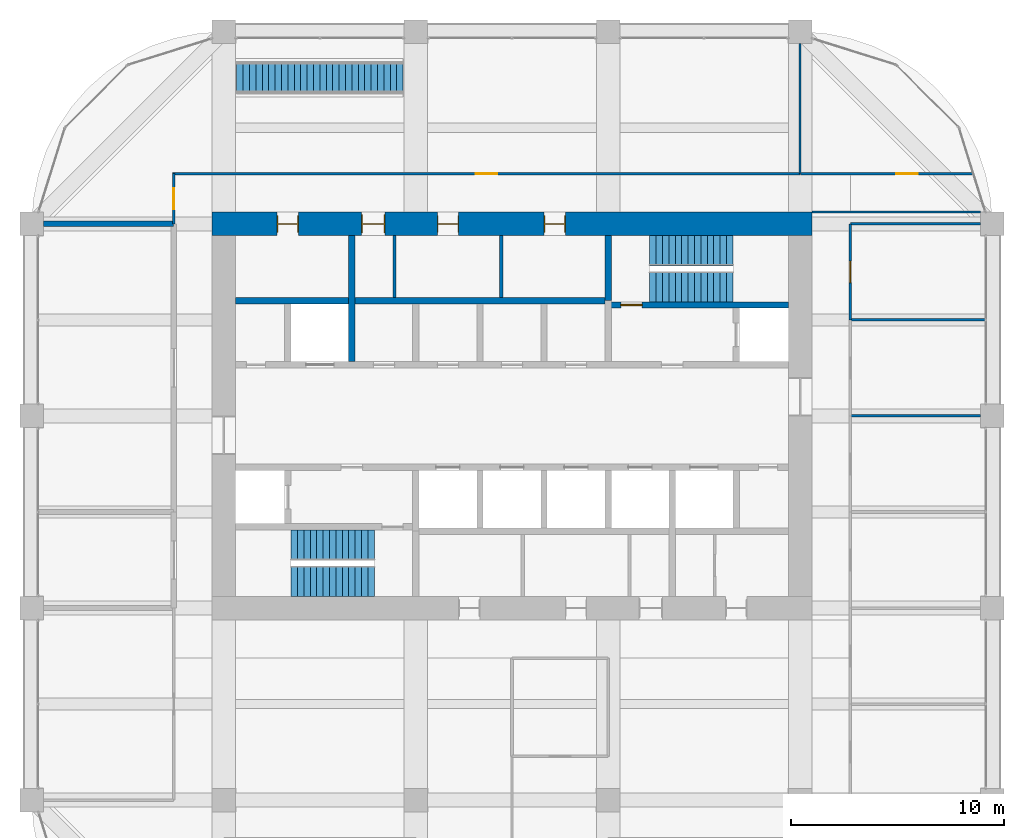
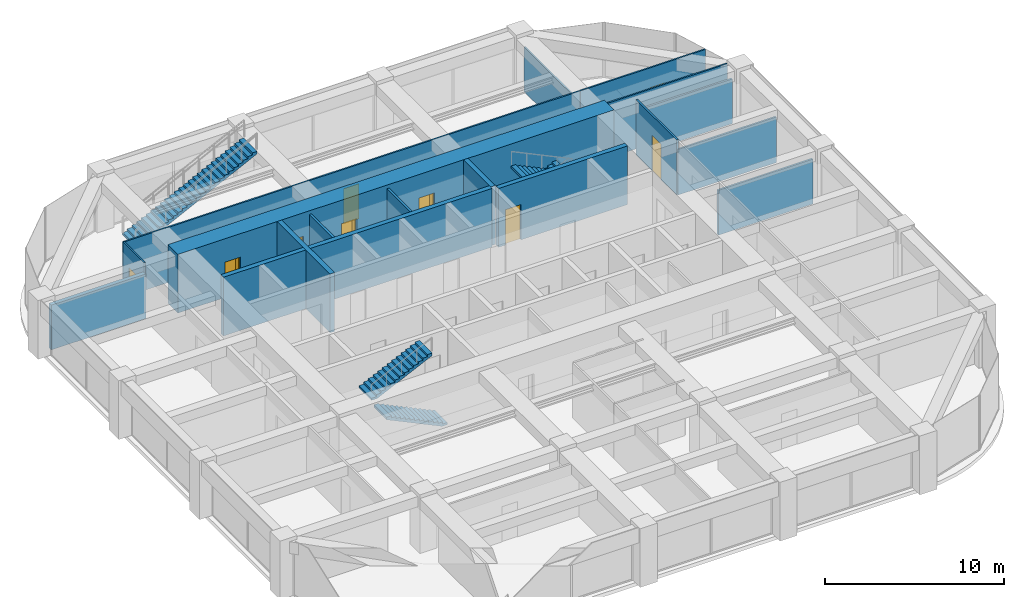
# One storey, part 43 of 44: 17 walls, 9 doors, 5 stair flights, 9 openings, 3 elements without a shape of their own.
"""IFC4 building model written with IfcOpenShell, lengths in metres."""

import ifcopenshell
import ifcopenshell.guid

model = None  # the IFC model being written
_history = None  # IfcOwnerHistory: only IFC2X3 demands one
_inside = {}  # id of a spatial element -> (the spatial element, [elements in it])
_under = {}  # id of a project, library or spatial element -> (it, [spatial elements below it])
_declared = {}  # id of a project -> (the project, [libraries it declares])
_typed = {}  # id of a type object -> (the type object, [elements of that type])
_made_of = {}  # id of a material, layer set ... -> (it, [elements and type objects made of it])


def new_model(schema):
    """Start an empty IFC model of exactly this schema.

    Asked for "IFC4X3", IfcOpenShell would pick the latest addendum, in which some entities
    have other attributes; the version numbers below select the first issue.
    IFC2X3 requires an IfcOwnerHistory on every rooted entity: one is made here for all.
    """
    global model, _history
    if schema == "IFC4X3":
        model = ifcopenshell.file(schema_version=(4, 3, 0, 0))
    else:
        model = ifcopenshell.file(schema=schema)
    _inside.clear()
    _under.clear()
    _declared.clear()
    _typed.clear()
    _made_of.clear()
    _history = None
    if model.schema == "IFC2X3":
        org = make("IfcOrganization", Name="unknown")
        user = make(
            "IfcPersonAndOrganization",
            ThePerson=make("IfcPerson", FamilyName="unknown"),
            TheOrganization=org,
        )
        app = make(
            "IfcApplication",
            ApplicationDeveloper=org,
            Version="unknown",
            ApplicationFullName="unknown",
            ApplicationIdentifier="unknown",
        )
        _history = make(
            "IfcOwnerHistory",
            OwningUser=user,
            OwningApplication=app,
            ChangeAction="ADDED",
            CreationDate=0,
        )
    return model


def make(cls, **values):
    """One entity of the class cls with the attributes given. An attribute that is None is left unset."""
    return model.create_entity(
        cls, **{name: value for name, value in values.items() if value is not None}
    )


def rooted(cls, **values):
    """An entity with a GlobalId (a new one), such as an element, a storey or a relation."""
    return make(cls, GlobalId=ifcopenshell.guid.new(), OwnerHistory=_history, **values)


def si_unit(unit_type, name, prefix=None):
    """IfcSIUnit, for example si_unit("LENGTHUNIT", "METRE", prefix="MILLI")."""
    return make("IfcSIUnit", UnitType=unit_type, Prefix=prefix, Name=name)


def assignment(units):
    """IfcUnitAssignment: the units of a project."""
    return None if units is None else make("IfcUnitAssignment", Units=units)


def point(xyz):
    """IfcCartesianPoint."""
    return None if xyz is None else make("IfcCartesianPoint", Coordinates=xyz)


def direction(xyz):
    """IfcDirection."""
    return None if xyz is None else make("IfcDirection", DirectionRatios=xyz)


def frame(location, z_axis=None, x_axis=None):
    """IfcAxis2Placement3D, a coordinate frame: its origin and axes. An axis left out is left unset."""
    return make(
        "IfcAxis2Placement3D",
        Location=point(location),
        Axis=direction(z_axis),
        RefDirection=direction(x_axis),
    )


def frame_2d(location, x_axis=None):
    """IfcAxis2Placement2D, a coordinate frame in the plane: its origin and x axis."""
    return make(
        "IfcAxis2Placement2D", Location=point(location), RefDirection=direction(x_axis)
    )


def origin():
    """The frame at (0, 0, 0) with its axes left unset."""
    return frame((0.0, 0.0, 0.0))


def place(relative_to, where):
    """IfcLocalPlacement: puts the frame where relative to a parent placement (None: the world)."""
    return make(
        "IfcLocalPlacement", PlacementRelTo=relative_to, RelativePlacement=where
    )


def context(
    kind, dimensions, precision=None, world=None, true_north=None, identifier=None
):
    """IfcGeometricRepresentationContext, for example the 3D "Model" context."""
    return make(
        "IfcGeometricRepresentationContext",
        ContextIdentifier=identifier,
        ContextType=kind,
        CoordinateSpaceDimension=dimensions,
        Precision=precision,
        WorldCoordinateSystem=world,
        TrueNorth=true_north,
    )


def subcontext(parent, identifier, kind, view, scale=None):
    """IfcGeometricRepresentationSubContext, for example "Body" below "Model"."""
    return make(
        "IfcGeometricRepresentationSubContext",
        ContextIdentifier=identifier,
        ContextType=kind,
        ParentContext=parent,
        TargetScale=scale,
        TargetView=view,
    )


def project(units=None, contexts=None):
    """IfcProject with its units and contexts."""
    return rooted(
        "IfcProject",
        Name="project",
        RepresentationContexts=contexts,
        UnitsInContext=assignment(units),
    )


def spatial(cls, under=None, at=None, **own):
    """A site, building, storey or space (cls), placed at a placement, below another one or the project."""
    s = rooted(cls, ObjectPlacement=at, **own)
    if under is not None:
        _under.setdefault(under.id(), (under, []))[1].append(s)
    return s


def polyline(points):
    """IfcPolyline through the points."""
    return make("IfcPolyline", Points=[point(p) for p in points])


def profile(cls, at=None, kind="AREA", **sizes):
    """A parametric profile (cls). Its sizes go by their IFC names, for example OverallWidth=200.0."""
    return make(cls, ProfileType=kind, Position=at, **sizes)


def rectangle(**sizes):
    """IfcRectangleProfileDef."""
    return profile("IfcRectangleProfileDef", **sizes)


def outline(outer, holes=None, kind="AREA"):
    """IfcArbitraryClosedProfileDef: a profile drawn as a closed curve; with holes, ...WithVoids."""
    if holes is None:
        return make("IfcArbitraryClosedProfileDef", ProfileType=kind, OuterCurve=outer)
    return make(
        "IfcArbitraryProfileDefWithVoids",
        ProfileType=kind,
        OuterCurve=outer,
        InnerCurves=holes,
    )


def extrude(swept, where, along, depth):
    """IfcExtrudedAreaSolid: the profile swept, set in the frame where, extruded along a direction by depth."""
    return make(
        "IfcExtrudedAreaSolid",
        SweptArea=swept,
        Position=where,
        ExtrudedDirection=direction(along),
        Depth=depth,
    )


def shape(context_of_items, identifier, shape_type, items):
    """IfcShapeRepresentation: the items that make up one representation, for example the "Body"."""
    return make(
        "IfcShapeRepresentation",
        ContextOfItems=context_of_items,
        RepresentationIdentifier=identifier,
        RepresentationType=shape_type,
        Items=items,
    )


def material(Name=None, Category=None):
    """IfcMaterial."""
    return make("IfcMaterial", Name=Name, Category=Category)


def layer(
    of_material, thickness, ventilated=None, Name=None, Category=None, Priority=None
):
    """IfcMaterialLayer: one layer of a wall or slab, of a material (None: an air gap)."""
    return make(
        "IfcMaterialLayer",
        Material=of_material,
        LayerThickness=thickness,
        IsVentilated=ventilated,
        Name=Name,
        Category=Category,
        Priority=Priority,
    )


def layer_set(layers, Name=None):
    """IfcMaterialLayerSet."""
    return make("IfcMaterialLayerSet", MaterialLayers=layers, LayerSetName=Name)


def constituent(of_material, Name=None, Category=None, fraction=None):
    """IfcMaterialConstituent: one of the materials an element consists of."""
    return make(
        "IfcMaterialConstituent",
        Name=Name,
        Material=of_material,
        Fraction=fraction,
        Category=Category,
    )


def constituent_set(constituents=None, Name=None):
    """IfcMaterialConstituentSet."""
    return make(
        "IfcMaterialConstituentSet", Name=Name, MaterialConstituents=constituents
    )


def made_of(thing, what):
    """Note that an element or type object is made of a material, layer set ...; save() writes the relation."""
    if what is not None:
        _made_of.setdefault(what.id(), (what, []))[1].append(thing)
    return thing


def type_object(cls, material=None, **own):
    """A type object (cls), such as IfcWallType, which elements share."""
    return made_of(rooted(cls, **own), material)


def element(
    cls,
    number,
    at=None,
    inside=None,
    cuts=None,
    type_object=None,
    material=None,
    context=None,
    identifier="Body",
    shape_type=None,
    held_by="IfcProductDefinitionShape",
    body=None,
    shapes=None,
    **own,
):
    """One element of the class cls, such as IfcWall. Its Tag is "e" and its number.

    at: its placement. inside: the storey or other place that contains it. cuts: it is an
    opening in that element (IfcRelVoidsElement). A single representation is given by context,
    identifier, shape_type and body (its items); several are given by shapes. held_by: the class
    of the entity that holds the representations. save() writes the other relations.
    """
    e = rooted(cls, Tag="e%d" % number, ObjectPlacement=at, **own)
    if body is not None:
        shapes = [shape(context, identifier, shape_type, body)]
    if shapes is not None:
        e.Representation = make(held_by, Representations=shapes)
    if inside is not None:
        _inside.setdefault(inside.id(), (inside, []))[1].append(e)
    if cuts is not None:
        rooted(
            "IfcRelVoidsElement", RelatingBuildingElement=cuts, RelatedOpeningElement=e
        )
    if type_object is not None:
        _typed.setdefault(type_object.id(), (type_object, []))[1].append(e)
    return made_of(e, material)


def fill(opening, filler):
    """IfcRelFillsElement: the door or window that sits in an opening."""
    return rooted(
        "IfcRelFillsElement",
        RelatingOpeningElement=opening,
        RelatedBuildingElement=filler,
    )


def aggregate(whole, parts):
    """IfcRelAggregates: a whole, such as a stair, and the parts it consists of."""
    return rooted("IfcRelAggregates", RelatingObject=whole, RelatedObjects=parts)


def save(model, path):
    """Write the relations noted so far, then the file.

    IfcRelAggregates (storeys below a building ...), IfcRelContainedInSpatialStructure (elements
    in a storey), IfcRelDefinesByType, IfcRelAssociatesMaterial and IfcRelDeclares: one each for
    every whole, place, type object, material and project.
    """
    for whole, parts in _under.values():
        aggregate(whole, parts)
    for where, things in _inside.values():
        rooted(
            "IfcRelContainedInSpatialStructure",
            RelatedElements=things,
            RelatingStructure=where,
        )
    for kind, things in _typed.values():
        rooted("IfcRelDefinesByType", RelatedObjects=things, RelatingType=kind)
    for what, things in _made_of.values():
        rooted("IfcRelAssociatesMaterial", RelatedObjects=things, RelatingMaterial=what)
    for by, libraries in _declared.values():
        rooted("IfcRelDeclares", RelatingContext=by, RelatedDefinitions=libraries)
    model.write(path)


model = new_model("IFC4")

# Units and contexts
model_context = context("Model", 3, precision=1e-05, world=origin(), true_north=direction((0.0, 1.0)))
body_context = subcontext(model_context, "Body", "Model", "MODEL_VIEW")
ifc_project = project(units=[si_unit("LENGTHUNIT", "METRE"), si_unit("AREAUNIT", "SQUARE_METRE"), si_unit("VOLUMEUNIT", "CUBIC_METRE"), si_unit("PLANEANGLEUNIT", "RADIAN"), si_unit("MASSUNIT", "GRAM", prefix="KILO")], contexts=[model_context])

# Site, building, storey
site_placement = place(None, origin())
site = spatial("IfcSite", under=ifc_project, at=site_placement, CompositionType="ELEMENT")
building_placement = place(site_placement, origin())
building = spatial("IfcBuilding", under=site, at=building_placement, Name="Zorevar Civic Tower", CompositionType="ELEMENT")
storey_placement = place(building_placement, frame((0.0, 0.0, 271.39990234375)))
storey = spatial("IfcBuildingStorey", under=building, at=storey_placement, Name="L66", CompositionType="ELEMENT", Elevation=271.39990234375)

# Wall
ifc_material_1 = material(Name="Twin-stud acoustic wall, gypsum board")
ifc_layer_1 = layer(ifc_material_1, 0.25)
ifc_layer_set_1 = layer_set([ifc_layer_1], Name="Acoustic wall 250")
wall_type_1 = type_object("IfcWallType", Name="Acoustic wall 250", PredefinedType="PARTITIONING", material=ifc_layer_set_1)
wall_1_placement = place(storey_placement, frame((9.550048828125, 36.0, 0.0), z_axis=(0.0, 0.0, 1.0), x_axis=(1.0, 0.0, 0.0)))
element("IfcWall", 1, at=wall_1_placement, inside=storey, type_object=wall_type_1, Name="Acoustic wall 250 L66", PredefinedType="PARTITIONING", context=body_context, shape_type="SweptSolid", body=[
    extrude(rectangle(XDim=6.099853515625, YDim=0.25, at=frame_2d((3.0498046875, 0.0))), origin(), (0.0, 0.0, 1.0), 3.050048828125),
])

# Wall, openings, doors
ifc_material_2 = material(Name="Concrete C50/60", Category="concrete")
ifc_layer_2 = layer(ifc_material_2, 1.10009765625)
ifc_layer_set_2 = layer_set([ifc_layer_2], Name="Core wall 1100")
wall_type_2 = type_object("IfcWallType", Name="Core wall 1100", PredefinedType="SHEAR", material=ifc_layer_set_2)
wall_2_placement = place(storey_placement, frame((45.550048828125, 36.0, 0.0), z_axis=(0.0, 0.0, 1.0), x_axis=(-1.0, 0.0, 0.0)))
wall_2 = element("IfcWall", 2, at=wall_2_placement, inside=storey, type_object=wall_type_2, Name="Core wall N L66", PredefinedType="SHEAR", context=body_context, shape_type="SweptSolid", body=[
    extrude(rectangle(XDim=28.10009765625, YDim=1.10009765625, at=frame_2d((14.050048828125, 0.0))), origin(), (0.0, 0.0, 1.0), 4.0),
])
opening_1_placement = place(wall_2_placement, frame((11.550048828125, 0.0, 0.0)))
opening_1 = element("IfcOpeningElement", 3, at=opening_1_placement, cuts=wall_2, Name="Opening L66.07", PredefinedType="OPENING", context=body_context, shape_type="SweptSolid", body=[
    extrude(rectangle(XDim=1.0, YDim=2.39990234375, at=frame_2d((0.5, 1.199951171875))), frame((0.0, 0.56005859375, 0.0), z_axis=(0.0, -1.0, 0.0), x_axis=(1.0, 0.0, 0.0)), (0.0, 0.0, 1.0), 1.1201171875),
])
opening_2_placement = place(wall_2_placement, frame((16.550048828125, 0.0, 0.0)))
opening_2 = element("IfcOpeningElement", 4, at=opening_2_placement, cuts=wall_2, Name="Opening L66.08", PredefinedType="OPENING", context=body_context, shape_type="SweptSolid", body=[
    extrude(rectangle(XDim=1.0, YDim=2.39990234375, at=frame_2d((0.5, 1.199951171875))), frame((0.0, 0.56005859375, 0.0), z_axis=(0.0, -1.0, 0.0), x_axis=(1.0, 0.0, 0.0)), (0.0, 0.0, 1.0), 1.1201171875),
])
opening_3_placement = place(wall_2_placement, frame((20.0, 0.0, 0.0)))
opening_3 = element("IfcOpeningElement", 5, at=opening_3_placement, cuts=wall_2, Name="Opening L66.09", PredefinedType="OPENING", context=body_context, shape_type="SweptSolid", body=[
    extrude(rectangle(XDim=1.10009765625, YDim=2.39990234375, at=frame_2d((0.550048828125, 1.199951171875))), frame((0.0, 0.56005859375, 0.0), z_axis=(0.0, -1.0, 0.0), x_axis=(1.0, 0.0, 0.0)), (0.0, 0.0, 1.0), 1.1201171875),
])
opening_4_placement = place(wall_2_placement, frame((24.050048828125, 0.0, 0.0)))
opening_4 = element("IfcOpeningElement", 6, at=opening_4_placement, cuts=wall_2, Name="Opening L66.10", PredefinedType="OPENING", context=body_context, shape_type="SweptSolid", body=[
    extrude(rectangle(XDim=1.0, YDim=2.39990234375, at=frame_2d((0.5, 1.199951171875))), frame((0.0, 0.56005859375, 0.0), z_axis=(0.0, -1.0, 0.0), x_axis=(1.0, 0.0, 0.0)), (0.0, 0.0, 1.0), 1.1201171875),
])
ifc_material_3 = material(Name="Timber door set", Category="wood")
door_type_1 = type_object("IfcDoorType", Name="Door D1 1000x2400", OperationType="SINGLE_SWING_LEFT", PredefinedType="DOOR", material=ifc_material_3)
door_1_placement = place(opening_1_placement, origin())
door_1 = element("IfcDoor", 7, at=door_1_placement, inside=storey, type_object=door_type_1, Name="Door L66 06", OperationType="SINGLE_SWING_LEFT", OverallHeight=2.39990234375, OverallWidth=1.0, PredefinedType="DOOR", context=body_context, shape_type="SweptSolid", body=[
    extrude(rectangle(XDim=1.0, YDim=2.39990234375, at=frame_2d((0.5, 1.199951171875))), frame((0.0, 0.02490234375, 0.0), z_axis=(0.0, -1.0, 0.0), x_axis=(1.0, 0.0, 0.0)), (0.0, 0.0, 1.0), 0.050048828125),
    extrude(rectangle(XDim=0.04, YDim=2.39990234375, at=frame_2d((0.02001953125, 1.199951171875))), frame((0.0, 0.39990234375, 0.0), z_axis=(0.0, -1.0, 0.0), x_axis=(1.0, 0.0, 0.0)), (0.0, 0.0, 1.0), 0.800048828125),
    extrude(rectangle(XDim=0.04, YDim=2.39990234375, at=frame_2d((0.97998046875, 1.199951171875))), frame((0.0, 0.39990234375, 0.0), z_axis=(0.0, -1.0, 0.0), x_axis=(1.0, 0.0, 0.0)), (0.0, 0.0, 1.0), 0.800048828125),
    extrude(rectangle(XDim=1.0, YDim=0.04, at=frame_2d((0.5, 2.3798828125))), frame((0.0, 0.39990234375, 0.0), z_axis=(0.0, -1.0, 0.0), x_axis=(1.0, 0.0, 0.0)), (0.0, 0.0, 1.0), 0.800048828125),
])
fill(opening_1, door_1)
door_2_placement = place(opening_2_placement, origin())
door_2 = element("IfcDoor", 8, at=door_2_placement, inside=storey, type_object=door_type_1, Name="Door L66 07", OperationType="SINGLE_SWING_RIGHT", OverallHeight=2.39990234375, OverallWidth=1.0, PredefinedType="DOOR", context=body_context, shape_type="SweptSolid", body=[
    extrude(rectangle(XDim=1.0, YDim=2.39990234375, at=frame_2d((0.5, 1.199951171875))), frame((0.0, 0.02490234375, 0.0), z_axis=(0.0, -1.0, 0.0), x_axis=(1.0, 0.0, 0.0)), (0.0, 0.0, 1.0), 0.050048828125),
    extrude(rectangle(XDim=0.04, YDim=2.39990234375, at=frame_2d((0.02001953125, 1.199951171875))), frame((0.0, 0.39990234375, 0.0), z_axis=(0.0, -1.0, 0.0), x_axis=(1.0, 0.0, 0.0)), (0.0, 0.0, 1.0), 0.800048828125),
    extrude(rectangle(XDim=0.04, YDim=2.39990234375, at=frame_2d((0.97998046875, 1.199951171875))), frame((0.0, 0.39990234375, 0.0), z_axis=(0.0, -1.0, 0.0), x_axis=(1.0, 0.0, 0.0)), (0.0, 0.0, 1.0), 0.800048828125),
    extrude(rectangle(XDim=1.0, YDim=0.04, at=frame_2d((0.5, 2.3798828125))), frame((0.0, 0.39990234375, 0.0), z_axis=(0.0, -1.0, 0.0), x_axis=(1.0, 0.0, 0.0)), (0.0, 0.0, 1.0), 0.800048828125),
])
fill(opening_2, door_2)
door_3_placement = place(opening_4_placement, origin())
door_3 = element("IfcDoor", 9, at=door_3_placement, inside=storey, type_object=door_type_1, Name="Door L66 09", OperationType="SINGLE_SWING_RIGHT", OverallHeight=2.39990234375, OverallWidth=1.0, PredefinedType="DOOR", context=body_context, shape_type="SweptSolid", body=[
    extrude(rectangle(XDim=1.0, YDim=2.39990234375, at=frame_2d((0.5, 1.199951171875))), frame((0.0, 0.02490234375, 0.0), z_axis=(0.0, -1.0, 0.0), x_axis=(1.0, 0.0, 0.0)), (0.0, 0.0, 1.0), 0.050048828125),
    extrude(rectangle(XDim=0.04, YDim=2.39990234375, at=frame_2d((0.02001953125, 1.199951171875))), frame((0.0, 0.39990234375, 0.0), z_axis=(0.0, -1.0, 0.0), x_axis=(1.0, 0.0, 0.0)), (0.0, 0.0, 1.0), 0.800048828125),
    extrude(rectangle(XDim=0.04, YDim=2.39990234375, at=frame_2d((0.97998046875, 1.199951171875))), frame((0.0, 0.39990234375, 0.0), z_axis=(0.0, -1.0, 0.0), x_axis=(1.0, 0.0, 0.0)), (0.0, 0.0, 1.0), 0.800048828125),
    extrude(rectangle(XDim=1.0, YDim=0.04, at=frame_2d((0.5, 2.3798828125))), frame((0.0, 0.39990234375, 0.0), z_axis=(0.0, -1.0, 0.0), x_axis=(1.0, 0.0, 0.0)), (0.0, 0.0, 1.0), 0.800048828125),
])
fill(opening_4, door_3)
ifc_material_4 = material(Name="Timber door set", Category="wood")
door_type_2 = type_object("IfcDoorType", Name="Door D5 1100x2400", OperationType="SINGLE_SWING_LEFT", PredefinedType="DOOR", material=ifc_material_4)
door_4_placement = place(opening_3_placement, origin())
door_4 = element("IfcDoor", 10, at=door_4_placement, inside=storey, type_object=door_type_2, Name="Door L66 08", OperationType="SINGLE_SWING_RIGHT", OverallHeight=2.39990234375, OverallWidth=1.10009765625, PredefinedType="DOOR", context=body_context, shape_type="SweptSolid", body=[
    extrude(rectangle(XDim=1.10009765625, YDim=2.39990234375, at=frame_2d((0.550048828125, 1.199951171875))), frame((0.0, 0.02490234375, 0.0), z_axis=(0.0, -1.0, 0.0), x_axis=(1.0, 0.0, 0.0)), (0.0, 0.0, 1.0), 0.050048828125),
    extrude(rectangle(XDim=0.04, YDim=2.39990234375, at=frame_2d((0.02001953125, 1.199951171875))), frame((0.0, 0.43994140625, 0.0), z_axis=(0.0, -1.0, 0.0), x_axis=(1.0, 0.0, 0.0)), (0.0, 0.0, 1.0), 0.880126953125),
    extrude(rectangle(XDim=0.04, YDim=2.39990234375, at=frame_2d((1.080078125, 1.199951171875))), frame((0.0, 0.43994140625, 0.0), z_axis=(0.0, -1.0, 0.0), x_axis=(1.0, 0.0, 0.0)), (0.0, 0.0, 1.0), 0.880126953125),
    extrude(rectangle(XDim=1.10009765625, YDim=0.04, at=frame_2d((0.550048828125, 2.3798828125))), frame((0.0, 0.43994140625, 0.0), z_axis=(0.0, -1.0, 0.0), x_axis=(1.0, 0.0, 0.0)), (0.0, 0.0, 1.0), 0.880126953125),
])
fill(opening_3, door_4)

# Wall
ifc_material_5 = material(Name="Laminated glass in black aluminium frame", Category="aluminium")
ifc_layer_3 = layer(ifc_material_5, 0.10009765625)
ifc_layer_set_3 = layer_set([ifc_layer_3], Name="Glazed partition 100")
wall_type_3 = type_object("IfcWallType", Name="Glazed partition 100", PredefinedType="PARTITIONING", material=ifc_layer_set_3)
wall_3_placement = place(storey_placement, frame((45.550048828125, 36.550048828125, 0.0), z_axis=(0.0, 0.0, 1.0), x_axis=(1.0, 0.0, 0.0)))
element("IfcWall", 11, at=wall_3_placement, inside=storey, type_object=wall_type_3, Name="Glazed partition 100 L66", PredefinedType="PARTITIONING", context=body_context, shape_type="SweptSolid", body=[
    extrude(rectangle(XDim=7.89990234375, YDim=0.10009765625, at=frame_2d((3.949951171875, 0.0))), origin(), (0.0, 0.0, 1.0), 3.75),
])

# Wall, opening, door
wall_4_placement = place(storey_placement, frame((15.60009765625, 38.35009765625, 0.0), z_axis=(0.0, 0.0, 1.0), x_axis=(1.0, 0.0, 0.0)))
wall_4 = element("IfcWall", 12, at=wall_4_placement, inside=storey, type_object=wall_type_3, Name="Glazed partition 100 L66", PredefinedType="PARTITIONING", context=body_context, shape_type="SweptSolid", body=[
    extrude(rectangle(XDim=29.39990234375, YDim=0.10009765625, at=frame_2d((14.699951171875, 0.0))), origin(), (0.0, 0.0, 1.0), 3.75),
])
opening_5_placement = place(wall_4_placement, frame((14.199951171875, 0.0, 0.0)))
opening_5 = element("IfcOpeningElement", 13, at=opening_5_placement, cuts=wall_4, Name="Opening L66.20", PredefinedType="OPENING", context=body_context, shape_type="SweptSolid", body=[
    extrude(rectangle(XDim=1.0, YDim=2.39990234375, at=frame_2d((0.5, 1.199951171875))), frame((0.0, 0.06005859375, 0.0), z_axis=(0.0, -1.0, 0.0), x_axis=(1.0, 0.0, 0.0)), (0.0, 0.0, 1.0), 0.1201171875),
])
ifc_material_6 = material(Name="Timber door set", Category="wood")
door_type_3 = type_object("IfcDoorType", Name="Glazed door GD1 1000x2400", OperationType="SINGLE_SWING_LEFT", PredefinedType="DOOR", material=ifc_material_6)
door_5_placement = place(opening_5_placement, origin())
door_5 = element("IfcDoor", 14, at=door_5_placement, inside=storey, type_object=door_type_3, Name="Door L66 D1", OperationType="SINGLE_SWING_LEFT", OverallHeight=2.39990234375, OverallWidth=1.0, PredefinedType="DOOR", context=body_context, shape_type="SweptSolid", body=[
    extrude(rectangle(XDim=1.0, YDim=2.39990234375, at=frame_2d((0.5, 1.199951171875))), frame((0.0, 0.02001953125, 0.0), z_axis=(0.0, -1.0, 0.0), x_axis=(1.0, 0.0, 0.0)), (0.0, 0.0, 1.0), 0.0400390625),
])
fill(opening_5, door_5)

wall_5_placement = place(storey_placement, frame((45.01904296875, 38.35009765625, 0.0), z_axis=(0.0, 0.0, 1.0), x_axis=(1.0, 0.0, 0.0)))
wall_5 = element("IfcWall", 15, at=wall_5_placement, inside=storey, type_object=wall_type_3, Name="Glazed partition 100 L66", PredefinedType="PARTITIONING", context=body_context, shape_type="SweptSolid", body=[
    extrude(rectangle(XDim=8.06640625, YDim=0.10009765625, at=frame_2d((4.033203125, 0.0))), origin(), (0.0, 0.0, 1.0), 3.75),
])
opening_6_placement = place(wall_5_placement, frame((4.48095703125, 0.0, 0.0)))
opening_6 = element("IfcOpeningElement", 16, at=opening_6_placement, cuts=wall_5, Name="Opening L66.21", PredefinedType="OPENING", context=body_context, shape_type="SweptSolid", body=[
    extrude(rectangle(XDim=1.0, YDim=2.39990234375, at=frame_2d((0.5, 1.199951171875))), frame((0.0, 0.06005859375, 0.0), z_axis=(0.0, -1.0, 0.0), x_axis=(1.0, 0.0, 0.0)), (0.0, 0.0, 1.0), 0.1201171875),
])
door_6_placement = place(opening_6_placement, origin())
door_6 = element("IfcDoor", 17, at=door_6_placement, inside=storey, type_object=door_type_3, Name="Door L66 D1", OperationType="SINGLE_SWING_LEFT", OverallHeight=2.39990234375, OverallWidth=1.0, PredefinedType="DOOR", context=body_context, shape_type="SweptSolid", body=[
    extrude(rectangle(XDim=1.0, YDim=2.39990234375, at=frame_2d((0.5, 1.199951171875))), frame((0.0, 0.02001953125, 0.0), z_axis=(0.0, -1.0, 0.0), x_axis=(1.0, 0.0, 0.0)), (0.0, 0.0, 1.0), 0.0400390625),
])
fill(opening_6, door_6)

wall_6_placement = place(storey_placement, frame((15.64990234375, 36.0, 0.0), z_axis=(0.0, 0.0, 1.0), x_axis=(0.0, 1.0, 0.0)))
wall_6 = element("IfcWall", 18, at=wall_6_placement, inside=storey, type_object=wall_type_3, Name="Glazed partition 100 L66", PredefinedType="PARTITIONING", context=body_context, shape_type="SweptSolid", body=[
    extrude(rectangle(XDim=2.35009765625, YDim=0.10009765625, at=frame_2d((1.175048828125, 0.0))), origin(), (0.0, 0.0, 1.0), 3.75),
])
opening_7_placement = place(wall_6_placement, frame((0.675048828125, 0.0, 0.0)))
opening_7 = element("IfcOpeningElement", 19, at=opening_7_placement, cuts=wall_6, Name="Opening L66.25", PredefinedType="OPENING", context=body_context, shape_type="SweptSolid", body=[
    extrude(rectangle(XDim=1.0, YDim=2.39990234375, at=frame_2d((0.5, 1.199951171875))), frame((0.0, 0.06005859375, 0.0), z_axis=(0.0, -1.0, 0.0), x_axis=(1.0, 0.0, 0.0)), (0.0, 0.0, 1.0), 0.1201171875),
])
door_7_placement = place(opening_7_placement, origin())
door_7 = element("IfcDoor", 20, at=door_7_placement, inside=storey, type_object=door_type_3, Name="Door L66 D1", OperationType="SINGLE_SWING_RIGHT", OverallHeight=2.39990234375, OverallWidth=1.0, PredefinedType="DOOR", context=body_context, shape_type="SweptSolid", body=[
    extrude(rectangle(XDim=1.0, YDim=2.39990234375, at=frame_2d((0.5, 1.199951171875))), frame((0.0, 0.02001953125, 0.0), z_axis=(0.0, -1.0, 0.0), x_axis=(1.0, 0.0, 0.0)), (0.0, 0.0, 1.0), 0.0400390625),
])
fill(opening_7, door_7)

# Wall
wall_7_placement = place(storey_placement, frame((45.0, 38.35009765625, 0.0), z_axis=(0.0, 0.0, 1.0), x_axis=(0.0, 1.0, 0.0)))
element("IfcWall", 21, at=wall_7_placement, inside=storey, type_object=wall_type_3, Name="Glazed partition 100 L66", PredefinedType="PARTITIONING", context=body_context, shape_type="SweptSolid", body=[
    extrude(rectangle(XDim=6.099853515625, YDim=0.10009765625, at=frame_2d((3.0498046875, 0.0))), origin(), (0.0, 0.0, 1.0), 3.050048828125),
])

# Wall, opening, door
ifc_material_7 = material(Name="Concrete C40/50", Category="concrete")
ifc_layer_4 = layer(ifc_material_7, 0.300048828125)
ifc_layer_set_4 = layer_set([ifc_layer_4], Name="Inner core wall 300")
wall_type_4 = type_object("IfcWallType", Name="Inner core wall 300", PredefinedType="SHEAR", material=ifc_layer_set_4)
wall_8_placement = place(storey_placement, frame((36.14990234375, 32.199951171875, 0.0), z_axis=(0.0, 0.0, 1.0), x_axis=(1.0, 0.0, 0.0)))
wall_8 = element("IfcWall", 22, at=wall_8_placement, inside=storey, type_object=wall_type_4, Name="Inner core wall N00 L66", PredefinedType="SHEAR", context=body_context, shape_type="SweptSolid", body=[
    extrude(rectangle(XDim=8.300048828125, YDim=0.300048828125, at=frame_2d((4.14990234375, 0.0))), origin(), (0.0, 0.0, 1.0), 4.0),
])
opening_8_placement = place(wall_8_placement, frame((0.449951171875, 0.0, 0.0)))
opening_8 = element("IfcOpeningElement", 23, at=opening_8_placement, cuts=wall_8, Name="Opening L66.12", PredefinedType="OPENING", context=body_context, shape_type="SweptSolid", body=[
    extrude(rectangle(XDim=1.0, YDim=2.39990234375, at=frame_2d((0.5, 1.199951171875))), frame((0.0, 0.159912109375, 0.0), z_axis=(0.0, -1.0, 0.0), x_axis=(1.0, 0.0, 0.0)), (0.0, 0.0, 1.0), 0.320068359375),
])
ifc_material_8 = material(Name="Steel door set", Category="steel")
door_type_4 = type_object("IfcDoorType", Name="Fire door FD1 1000x2400", OperationType="SINGLE_SWING_LEFT", PredefinedType="DOOR", material=ifc_material_8)
door_8_placement = place(opening_8_placement, origin())
door_8 = element("IfcDoor", 24, at=door_8_placement, inside=storey, type_object=door_type_4, Name="Door L66 11", OperationType="SINGLE_SWING_RIGHT", OverallHeight=2.39990234375, OverallWidth=1.0, PredefinedType="DOOR", context=body_context, shape_type="SweptSolid", body=[
    extrude(rectangle(XDim=1.0, YDim=2.39990234375, at=frame_2d((0.5, 1.199951171875))), frame((0.0, 0.030029296875, 0.0), z_axis=(0.0, -1.0, 0.0), x_axis=(1.0, 0.0, 0.0)), (0.0, 0.0, 1.0), 0.06005859375),
])
fill(opening_8, door_8)

# Walls
wall_9_placement = place(storey_placement, frame((36.0, 32.39990234375, 0.0), z_axis=(0.0, 0.0, 1.0), x_axis=(0.0, 1.0, 0.0)))
element("IfcWall", 25, at=wall_9_placement, inside=storey, type_object=wall_type_4, Name="Inner core wall N01 L66", PredefinedType="SHEAR", context=body_context, shape_type="SweptSolid", body=[
    extrude(rectangle(XDim=3.050048828125, YDim=0.300048828125, at=frame_2d((1.52490234375, 0.0))), origin(), (0.0, 0.0, 1.0), 4.0),
])
wall_10_placement = place(storey_placement, frame((18.550048828125, 32.39990234375, 0.0), z_axis=(0.0, 0.0, 1.0), x_axis=(1.0, 0.0, 0.0)))
element("IfcWall", 26, at=wall_10_placement, inside=storey, type_object=wall_type_4, Name="Inner core wall N04 L66", PredefinedType="SHEAR", context=body_context, shape_type="SweptSolid", body=[
    extrude(rectangle(XDim=17.300048828125, YDim=0.300048828125, at=frame_2d((8.64990234375, 0.0))), origin(), (0.0, 0.0, 1.0), 4.0),
])
wall_11_placement = place(storey_placement, frame((24.0, 29.550048828125, 0.0), z_axis=(0.0, 0.0, 1.0), x_axis=(0.0, 1.0, 0.0)))
element("IfcWall", 27, at=wall_11_placement, inside=storey, type_object=wall_type_4, Name="Inner core wall N08 L66", PredefinedType="SHEAR", context=body_context, shape_type="SweptSolid", body=[
    extrude(rectangle(XDim=5.89990234375, YDim=0.300048828125, at=frame_2d((2.949951171875, 0.0))), origin(), (0.0, 0.0, 1.0), 4.0),
])
ifc_material_9 = material(Name="Gypsum board on steel studs", Category="steel")
ifc_layer_5 = layer(ifc_material_9, 0.1201171875)
ifc_layer_set_5 = layer_set([ifc_layer_5], Name="Partition 120")
wall_type_5 = type_object("IfcWallType", Name="Partition 120", PredefinedType="PARTITIONING", material=ifc_layer_set_5)
wall_12_placement = place(storey_placement, frame((47.35009765625, 27.0, 0.0), z_axis=(0.0, 0.0, 1.0), x_axis=(1.0, 0.0, 0.0)))
element("IfcWall", 28, at=wall_12_placement, inside=storey, type_object=wall_type_5, Name="Partition 120 L66", PredefinedType="PARTITIONING", context=body_context, shape_type="SweptSolid", body=[
    extrude(rectangle(XDim=6.099853515625, YDim=0.1201171875, at=frame_2d((3.0498046875, 0.0))), origin(), (0.0, 0.0, 1.0), 3.050048828125),
])
wall_13_placement = place(storey_placement, frame((47.35009765625, 31.5, 0.0), z_axis=(0.0, 0.0, 1.0), x_axis=(1.0, 0.0, 0.0)))
element("IfcWall", 29, at=wall_13_placement, inside=storey, type_object=wall_type_5, Name="Partition 120 L66", PredefinedType="PARTITIONING", context=body_context, shape_type="SweptSolid", body=[
    extrude(rectangle(XDim=6.33984375, YDim=0.1201171875, at=frame_2d((3.169921875, 0.0))), origin(), (0.0, 0.0, 1.0), 3.10009765625),
])
wall_14_placement = place(storey_placement, frame((47.35009765625, 36.0, 0.0), z_axis=(0.0, 0.0, 1.0), x_axis=(1.0, 0.0, 0.0)))
element("IfcWall", 30, at=wall_14_placement, inside=storey, type_object=wall_type_5, Name="Partition 120 L66", PredefinedType="PARTITIONING", context=body_context, shape_type="SweptSolid", body=[
    extrude(rectangle(XDim=6.099853515625, YDim=0.1201171875, at=frame_2d((3.0498046875, 0.0))), origin(), (0.0, 0.0, 1.0), 3.050048828125),
])

# Wall, opening, door
wall_15_placement = place(storey_placement, frame((47.35009765625, 31.5, 0.0), z_axis=(0.0, 0.0, 1.0), x_axis=(0.0, 1.0, 0.0)))
wall_15 = element("IfcWall", 31, at=wall_15_placement, inside=storey, type_object=wall_type_5, Name="Partition 120 L66", PredefinedType="PARTITIONING", context=body_context, shape_type="SweptSolid", body=[
    extrude(rectangle(XDim=4.5, YDim=0.1201171875, at=frame_2d((2.25, 0.0))), origin(), (0.0, 0.0, 1.0), 3.75),
])
opening_9_placement = place(wall_15_placement, frame((1.75, 0.0, 0.0)))
opening_9 = element("IfcOpeningElement", 32, at=opening_9_placement, cuts=wall_15, Name="Opening L66.31", PredefinedType="OPENING", context=body_context, shape_type="SweptSolid", body=[
    extrude(rectangle(XDim=1.0, YDim=2.39990234375, at=frame_2d((0.5, 1.199951171875))), frame((0.0, 0.070068359375, 0.0), z_axis=(0.0, -1.0, 0.0), x_axis=(1.0, 0.0, 0.0)), (0.0, 0.0, 1.0), 0.14013671875),
])
door_9_placement = place(opening_9_placement, origin())
door_9 = element("IfcDoor", 33, at=door_9_placement, inside=storey, type_object=door_type_1, Name="Door L66 D1", OperationType="SINGLE_SWING_LEFT", OverallHeight=2.39990234375, OverallWidth=1.0, PredefinedType="DOOR", context=body_context, shape_type="SweptSolid", body=[
    extrude(rectangle(XDim=1.0, YDim=2.39990234375, at=frame_2d((0.5, 1.199951171875))), frame((0.0, 0.02490234375, 0.0), z_axis=(0.0, -1.0, 0.0), x_axis=(1.0, 0.0, 0.0)), (0.0, 0.0, 1.0), 0.050048828125),
])
fill(opening_9, door_9)

# Walls
ifc_material_10 = material(Name="Gypsum board on steel studs, moisture resistant", Category="steel")
ifc_layer_6 = layer(ifc_material_10, 0.14990234375)
ifc_layer_set_6 = layer_set([ifc_layer_6], Name="WC partition 150")
wall_type_6 = type_object("IfcWallType", Name="WC partition 150", PredefinedType="PARTITIONING", material=ifc_layer_set_6)
for number, where, z_axis, x_axis, name in (
    (34, (31.0, 32.550048828125, 0.0), (0.0, 0.0, 1.0), (0.0, 1.0, 0.0), "WC partition L66"),
    (35, (26.0, 32.550048828125, 0.0), (0.0, 0.0, 1.0), (0.0, 1.0, 0.0), "WC partition L66"),
):
    element("IfcWall", number, at=place(storey_placement, frame(where, z_axis=z_axis, x_axis=x_axis)), inside=storey, type_object=wall_type_6, Name=name, PredefinedType="PARTITIONING", context=body_context, shape_type="SweptSolid", body=[
        extrude(rectangle(XDim=2.89990234375, YDim=0.14990234375, at=frame_2d((1.449951171875, 0.0))), origin(), (0.0, 0.0, 1.0), 3.75),
    ])

# Stair, stair flight
ifc_material_11 = material(Name="Steel S355", Category="steel")
ifc_constituent_1 = constituent(ifc_material_11, Name="Structure")
ifc_material_12 = material(Name="Stone treads", Category="masonry")
ifc_constituent_2 = constituent(ifc_material_12, Name="Finish")
ifc_constituent_set_1 = constituent_set(constituents=[ifc_constituent_1, ifc_constituent_2], Name="Steel S355")
stair_type_1 = type_object("IfcStairType", Name="Interconnecting stair IS1", PredefinedType="STRAIGHT_RUN_STAIR", material=ifc_constituent_set_1)
stair_1_placement = place(storey_placement, origin())
stair_1 = element("IfcStair", 36, at=stair_1_placement, inside=storey, type_object=stair_type_1, Name="Interconnecting stair IS1 L66 to L67", PredefinedType="STRAIGHT_RUN_STAIR")
ifc_material_13 = material(Name="Steel S355", Category="steel")
ifc_constituent_3 = constituent(ifc_material_13, Name="Structure")
ifc_material_14 = material(Name="Stone treads", Category="masonry")
ifc_constituent_4 = constituent(ifc_material_14, Name="Finish")
ifc_constituent_set_2 = constituent_set(constituents=[ifc_constituent_3, ifc_constituent_4], Name="Steel S355")
stair_flight_type_1 = type_object("IfcStairFlightType", Name="Interconnecting stair flight", PredefinedType="STRAIGHT", material=ifc_constituent_set_2)
stair_flight_1_placement = place(storey_placement, frame((18.60009765625, 42.85009765625, 0.0), z_axis=(0.0, 0.0, 1.0), x_axis=(1.0, 0.0, 0.0)))
stair_flight_1 = element("IfcStairFlight", 37, at=stair_flight_1_placement, type_object=stair_flight_type_1, Name="IS1 flight 1", NumberOfRisers=27, NumberOfTreads=26, PredefinedType="STRAIGHT", RiserHeight=0.148148148, TreadLength=0.3, context=body_context, shape_type="SweptSolid", body=[
    extrude(outline(polyline([(0.0, 0.0), (0.0, 0.148193359375), (0.300048828125, 0.148193359375), (0.300048828125, 0.29638671875), (0.60009765625, 0.29638671875), (0.60009765625, 0.4443359375), (0.89990234375, 0.4443359375), (0.89990234375, 0.592529296875), (1.199951171875, 0.592529296875), (1.199951171875, 0.74072265625), (1.5, 0.74072265625), (1.5, 0.888916015625), (1.800048828125, 0.888916015625), (1.800048828125, 1.037109375), (2.10009765625, 1.037109375), (2.10009765625, 1.185302734375), (2.39990234375, 1.185302734375), (2.39990234375, 1.333251953125), (2.699951171875, 1.333251953125), (2.699951171875, 1.4814453125), (3.0, 1.4814453125), (3.0, 1.629638671875), (3.300048828125, 1.629638671875), (3.300048828125, 1.77783203125), (3.60009765625, 1.77783203125), (3.60009765625, 1.926025390625), (3.89990234375, 1.926025390625), (3.89990234375, 2.073974609375), (4.199951171875, 2.073974609375), (4.199951171875, 2.22216796875), (4.5, 2.22216796875), (4.5, 2.370361328125), (4.800048828125, 2.370361328125), (4.800048828125, 2.5185546875), (5.10009765625, 2.5185546875), (5.10009765625, 2.666748046875), (5.39990234375, 2.666748046875), (5.39990234375, 2.814697265625), (5.699951171875, 2.814697265625), (5.699951171875, 2.962890625), (6.0, 2.962890625), (6.0, 3.111083984375), (6.300048828125, 3.111083984375), (6.300048828125, 3.25927734375), (6.60009765625, 3.25927734375), (6.60009765625, 3.407470703125), (6.89990234375, 3.407470703125), (6.89990234375, 3.5556640625), (7.199951171875, 3.5556640625), (7.199951171875, 3.70361328125), (7.5, 3.70361328125), (7.5, 3.851806640625), (7.800048828125, 3.851806640625), (7.800048828125, 4.0), (7.800048828125, 3.6845703125), (0.338623046875, 0.0), (0.0, 0.0)])), frame((0.0, 0.75, 0.0), z_axis=(0.0, -1.0, 0.0), x_axis=(1.0, 0.0, 0.0)), (0.0, 0.0, 1.0), 1.5),
])
aggregate(stair_1, [stair_flight_1])

# Stair, stair flights
ifc_material_15 = material(Name="Precast concrete C40/50", Category="concrete")
stair_type_2 = type_object("IfcStairType", Name="Stair ST 28R", PredefinedType="HALF_TURN_STAIR", material=ifc_material_15)
stair_2_placement = place(storey_placement, origin())
stair_2 = element("IfcStair", 38, at=stair_2_placement, inside=storey, type_object=stair_type_2, Name="Stair ST1 L66", PredefinedType="HALF_TURN_STAIR")
ifc_material_16 = material(Name="Precast concrete C40/50", Category="concrete")
stair_flight_type_2 = type_object("IfcStairFlightType", Name="Stair flight", PredefinedType="STRAIGHT", material=ifc_material_16)
stair_flight_2_placement = place(storey_placement, frame((25.050048828125, 19.262451171875, 0.0), z_axis=(0.0, 0.0, 1.0), x_axis=(-1.0, 0.0, 0.0)))
stair_flight_2 = element("IfcStairFlight", 39, at=stair_flight_2_placement, type_object=stair_flight_type_2, Name="ST1 flight 1", NumberOfRisers=14, NumberOfTreads=13, PredefinedType="STRAIGHT", RiserHeight=0.142857143, TreadLength=0.3, context=body_context, shape_type="SweptSolid", body=[
    extrude(outline(polyline([(0.0, 0.0), (0.0, 0.142822265625), (0.300048828125, 0.142822265625), (0.300048828125, 0.28564453125), (0.60009765625, 0.28564453125), (0.60009765625, 0.428466796875), (0.89990234375, 0.428466796875), (0.89990234375, 0.571533203125), (1.199951171875, 0.571533203125), (1.199951171875, 0.71435546875), (1.5, 0.71435546875), (1.5, 0.857177734375), (1.800048828125, 0.857177734375), (1.800048828125, 1.0), (2.10009765625, 1.0), (2.10009765625, 1.142822265625), (2.39990234375, 1.142822265625), (2.39990234375, 1.28564453125), (2.699951171875, 1.28564453125), (2.699951171875, 1.428466796875), (3.0, 1.428466796875), (3.0, 1.571533203125), (3.300048828125, 1.571533203125), (3.300048828125, 1.71435546875), (3.60009765625, 1.71435546875), (3.60009765625, 1.857177734375), (3.89990234375, 1.857177734375), (3.89990234375, 2.0), (3.89990234375, 1.691162109375), (0.3486328125, 0.0), (0.0, 0.0)])), frame((0.0, 0.71240234375, 0.0), z_axis=(0.0, -1.0, 0.0), x_axis=(1.0, 0.0, 0.0)), (0.0, 0.0, 1.0), 1.425048828125),
])
stair_flight_3_placement = place(storey_placement, frame((21.14990234375, 20.9375, 2.0), z_axis=(0.0, 0.0, 1.0), x_axis=(1.0, 0.0, 0.0)))
stair_flight_3 = element("IfcStairFlight", 40, at=stair_flight_3_placement, type_object=stair_flight_type_2, Name="ST1 flight 2", NumberOfRisers=14, NumberOfTreads=13, PredefinedType="STRAIGHT", RiserHeight=0.142857143, TreadLength=0.3, context=body_context, shape_type="SweptSolid", body=[
    extrude(outline(polyline([(0.0, 0.0), (0.0, 0.142822265625), (0.300048828125, 0.142822265625), (0.300048828125, 0.28564453125), (0.60009765625, 0.28564453125), (0.60009765625, 0.428466796875), (0.89990234375, 0.428466796875), (0.89990234375, 0.571533203125), (1.199951171875, 0.571533203125), (1.199951171875, 0.71435546875), (1.5, 0.71435546875), (1.5, 0.857177734375), (1.800048828125, 0.857177734375), (1.800048828125, 1.0), (2.10009765625, 1.0), (2.10009765625, 1.142822265625), (2.39990234375, 1.142822265625), (2.39990234375, 1.28564453125), (2.699951171875, 1.28564453125), (2.699951171875, 1.428466796875), (3.0, 1.428466796875), (3.0, 1.571533203125), (3.300048828125, 1.571533203125), (3.300048828125, 1.71435546875), (3.60009765625, 1.71435546875), (3.60009765625, 1.857177734375), (3.89990234375, 1.857177734375), (3.89990234375, 2.0), (3.89990234375, 1.691162109375), (0.3486328125, 0.0), (0.0, 0.0)])), frame((0.0, 0.71240234375, 0.0), z_axis=(0.0, -1.0, 0.0), x_axis=(1.0, 0.0, 0.0)), (0.0, 0.0, 1.0), 1.425048828125),
])
aggregate(stair_2, [stair_flight_2, stair_flight_3])

stair_3_placement = place(storey_placement, origin())
stair_3 = element("IfcStair", 41, at=stair_3_placement, inside=storey, type_object=stair_type_2, Name="Stair ST2 L66", PredefinedType="HALF_TURN_STAIR")
stair_flight_4_placement = place(storey_placement, frame((37.949951171875, 34.737548828125, 0.0), z_axis=(0.0, 0.0, 1.0), x_axis=(1.0, 0.0, 0.0)))
stair_flight_4 = element("IfcStairFlight", 42, at=stair_flight_4_placement, type_object=stair_flight_type_2, Name="ST2 flight 1", NumberOfRisers=14, NumberOfTreads=13, PredefinedType="STRAIGHT", RiserHeight=0.142857143, TreadLength=0.3, context=body_context, shape_type="SweptSolid", body=[
    extrude(outline(polyline([(0.0, 0.0), (0.0, 0.142822265625), (0.300048828125, 0.142822265625), (0.300048828125, 0.28564453125), (0.60009765625, 0.28564453125), (0.60009765625, 0.428466796875), (0.89990234375, 0.428466796875), (0.89990234375, 0.571533203125), (1.199951171875, 0.571533203125), (1.199951171875, 0.71435546875), (1.5, 0.71435546875), (1.5, 0.857177734375), (1.800048828125, 0.857177734375), (1.800048828125, 1.0), (2.10009765625, 1.0), (2.10009765625, 1.142822265625), (2.39990234375, 1.142822265625), (2.39990234375, 1.28564453125), (2.699951171875, 1.28564453125), (2.699951171875, 1.428466796875), (3.0, 1.428466796875), (3.0, 1.571533203125), (3.300048828125, 1.571533203125), (3.300048828125, 1.71435546875), (3.60009765625, 1.71435546875), (3.60009765625, 1.857177734375), (3.89990234375, 1.857177734375), (3.89990234375, 2.0), (3.89990234375, 1.691162109375), (0.3486328125, 0.0), (0.0, 0.0)])), frame((0.0, 0.71240234375, 0.0), z_axis=(0.0, -1.0, 0.0), x_axis=(1.0, 0.0, 0.0)), (0.0, 0.0, 1.0), 1.425048828125),
])
stair_flight_5_placement = place(storey_placement, frame((41.85009765625, 33.0625, 2.0), z_axis=(0.0, 0.0, 1.0), x_axis=(-1.0, 0.0, 0.0)))
stair_flight_5 = element("IfcStairFlight", 43, at=stair_flight_5_placement, type_object=stair_flight_type_2, Name="ST2 flight 2", NumberOfRisers=14, NumberOfTreads=13, PredefinedType="STRAIGHT", RiserHeight=0.142857143, TreadLength=0.3, context=body_context, shape_type="SweptSolid", body=[
    extrude(outline(polyline([(0.0, 0.0), (0.0, 0.142822265625), (0.300048828125, 0.142822265625), (0.300048828125, 0.28564453125), (0.60009765625, 0.28564453125), (0.60009765625, 0.428466796875), (0.89990234375, 0.428466796875), (0.89990234375, 0.571533203125), (1.199951171875, 0.571533203125), (1.199951171875, 0.71435546875), (1.5, 0.71435546875), (1.5, 0.857177734375), (1.800048828125, 0.857177734375), (1.800048828125, 1.0), (2.10009765625, 1.0), (2.10009765625, 1.142822265625), (2.39990234375, 1.142822265625), (2.39990234375, 1.28564453125), (2.699951171875, 1.28564453125), (2.699951171875, 1.428466796875), (3.0, 1.428466796875), (3.0, 1.571533203125), (3.300048828125, 1.571533203125), (3.300048828125, 1.71435546875), (3.60009765625, 1.71435546875), (3.60009765625, 1.857177734375), (3.89990234375, 1.857177734375), (3.89990234375, 2.0), (3.89990234375, 1.691162109375), (0.3486328125, 0.0), (0.0, 0.0)])), frame((0.0, 0.71240234375, 0.0), z_axis=(0.0, -1.0, 0.0), x_axis=(1.0, 0.0, 0.0)), (0.0, 0.0, 1.0), 1.425048828125),
])
aggregate(stair_3, [stair_flight_4, stair_flight_5])

save(model, "model.ifc")
